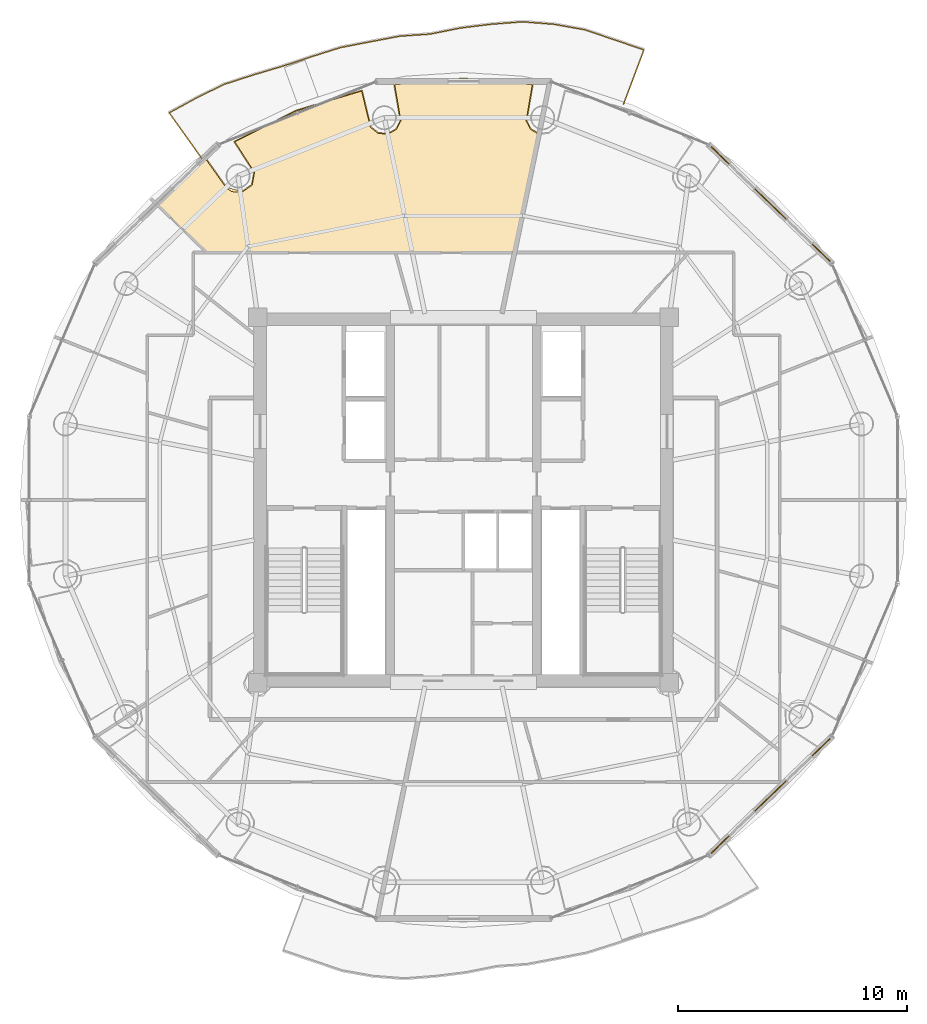
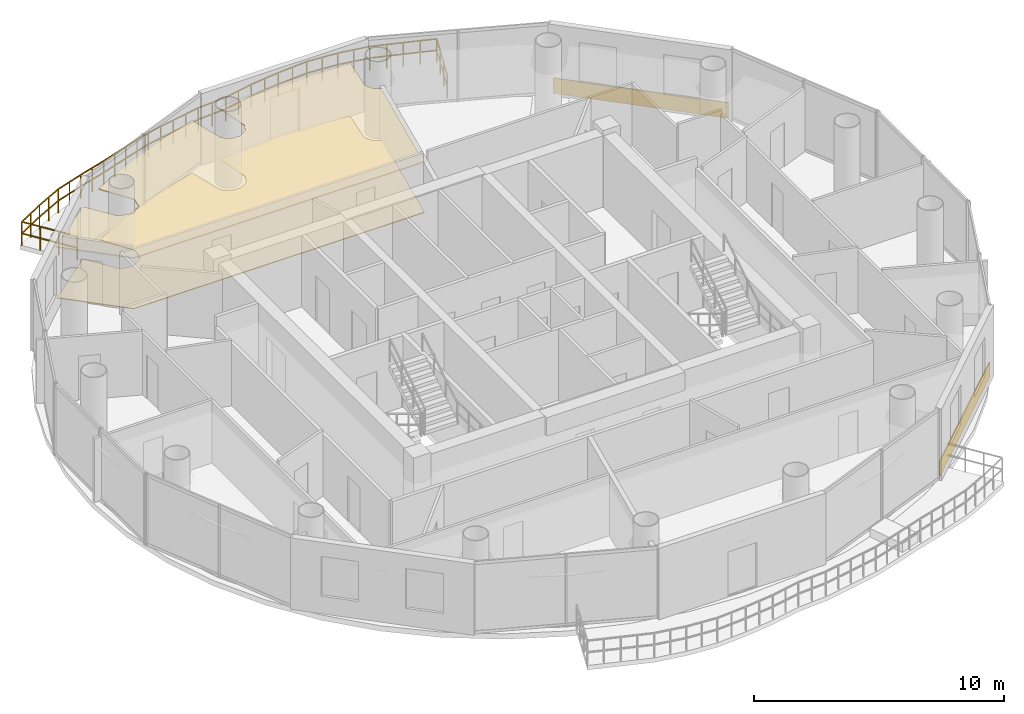
# One storey, part 22 of 22: 4 coverings, 1 railing.
"""IFC4 building model written with IfcOpenShell, lengths in metres."""

from ifc_helpers import new_model, si_unit, direction, frame, origin, origin_2d, place, context, subcontext, project, spatial, polyline, rectangle, outline, extrude, source, transform, mapped, material, layer, layer_set, type_object, element, save


model = new_model("IFC4")

# Units and contexts
model_context = context("Model", 3, precision=1e-05, world=origin(), true_north=direction((-0.2419218956, 0.970295726276)))
body_context = subcontext(model_context, "Body", "Model", "MODEL_VIEW")
ifc_project = project(units=[si_unit("LENGTHUNIT", "METRE"), si_unit("AREAUNIT", "SQUARE_METRE"), si_unit("VOLUMEUNIT", "CUBIC_METRE"), si_unit("PLANEANGLEUNIT", "RADIAN"), si_unit("MASSUNIT", "GRAM", prefix="KILO")], contexts=[model_context])

# Site, building, storey
site_placement = place(None, origin())
site = spatial("IfcSite", under=ifc_project, at=site_placement, CompositionType="ELEMENT")
building_placement = place(site_placement, origin())
building = spatial("IfcBuilding", under=site, at=building_placement, Name="Cobrevalo Terracotta Tower", CompositionType="ELEMENT")
storey_placement = place(building_placement, frame((0.0, 0.0, 289.449951171875)))
storey = spatial("IfcBuildingStorey", under=building, at=storey_placement, Name="L76", CompositionType="ELEMENT", Elevation=289.449951171875)

# Railing
ifc_material_1 = material(Name="Laminated structural glass and stainless steel", Category="steel")
railing_type = type_object("IfcRailingType", Name="Balcony lobe structural glass & terracotta-cap balustrade 1180 mm", PredefinedType="BALUSTRADE", material=ifc_material_1)
railing_placement = place(storey_placement, frame((45.00390625, 44.11962890625, 0.0)))
element("IfcRailing", 1, at=railing_placement, inside=storey, type_object=railing_type, Name="L76 spiralling balcony lobe balustrade 1", PredefinedType="BALUSTRADE", context=body_context, shape_type="SweptSolid", body=[
    extrude(rectangle(XDim=0.048095703125, YDim=0.048095703125, at=origin_2d()), frame((0.0, 0.0, 1.15576171875), z_axis=(0.351810122888, 0.936071384796, 0.0), x_axis=(-0.936071384796, 0.351810122888, 0.0)), (0.0, 0.0, 1.0), 2.5322265625),
    extrude(rectangle(XDim=0.048095703125, YDim=0.048095703125, at=origin_2d()), frame((0.0, 0.0, 0.58984375), z_axis=(0.351810122888, 0.936071384796, 0.0), x_axis=(-0.936071384796, 0.351810122888, 0.0)), (0.0, 0.0, 1.0), 2.5322265625),
    extrude(rectangle(XDim=0.048095703125, YDim=0.048095703125, at=origin_2d()), frame((0.890869140625, 2.370361328125, 1.15576171875), z_axis=(-0.946371179412, 0.323081399618, 0.0), x_axis=(-0.323081399618, -0.946371179412, 0.0)), (0.0, 0.0, 1.0), 1.3662109375),
    extrude(rectangle(XDim=0.048095703125, YDim=0.048095703125, at=origin_2d()), frame((0.890869140625, 2.370361328125, 0.58984375), z_axis=(-0.946371179412, 0.323081399618, 0.0), x_axis=(-0.323081399618, -0.946371179412, 0.0)), (0.0, 0.0, 1.0), 1.3662109375),
    extrude(rectangle(XDim=0.048095703125, YDim=0.048095703125, at=origin_2d()), frame((-0.402099609375, 2.811767578125, 1.15576171875), z_axis=(-0.947175150586, 0.320716750594, 0.0), x_axis=(-0.320716750594, -0.947175150586, 0.0)), (0.0, 0.0, 1.0), 1.369384765625),
    extrude(rectangle(XDim=0.048095703125, YDim=0.048095703125, at=origin_2d()), frame((-0.402099609375, 2.811767578125, 0.58984375), z_axis=(-0.947175150586, 0.320716750594, 0.0), x_axis=(-0.320716750594, -0.947175150586, 0.0)), (0.0, 0.0, 1.0), 1.369384765625),
    extrude(rectangle(XDim=0.048095703125, YDim=0.048095703125, at=origin_2d()), frame((-1.69921875, 3.2509765625, 1.15576171875), z_axis=(-0.984495670632, 0.175408878071, 0.0), x_axis=(-0.175408878071, -0.984495670632, 0.0)), (0.0, 0.0, 1.0), 1.372314453125),
    extrude(rectangle(XDim=0.048095703125, YDim=0.048095703125, at=origin_2d()), frame((-1.69921875, 3.2509765625, 0.58984375), z_axis=(-0.984495670632, 0.175408878071, 0.0), x_axis=(-0.175408878071, -0.984495670632, 0.0)), (0.0, 0.0, 1.0), 1.372314453125),
    extrude(rectangle(XDim=0.048095703125, YDim=0.048095703125, at=origin_2d()), frame((-3.05029296875, 3.49169921875, 1.15576171875), z_axis=(-0.996988043994, 0.077555400418, 0.0), x_axis=(-0.077555400418, -0.996988043994, 0.0)), (0.0, 0.0, 1.0), 1.369384765625),
    extrude(rectangle(XDim=0.048095703125, YDim=0.048095703125, at=origin_2d()), frame((-3.05029296875, 3.49169921875, 0.58984375), z_axis=(-0.996988043994, 0.077555400418, 0.0), x_axis=(-0.077555400418, -0.996988043994, 0.0)), (0.0, 0.0, 1.0), 1.369384765625),
    extrude(rectangle(XDim=0.048095703125, YDim=0.048095703125, at=origin_2d()), frame((-4.41552734375, 3.597900390625, 1.15576171875), z_axis=(-0.997129112114, -0.075720101525, 0.0), x_axis=(0.075720101525, -0.997129112114, 0.0)), (0.0, 0.0, 1.0), 1.376708984375),
    extrude(rectangle(XDim=0.048095703125, YDim=0.048095703125, at=origin_2d()), frame((-4.41552734375, 3.597900390625, 0.58984375), z_axis=(-0.997129112114, -0.075720101525, 0.0), x_axis=(0.075720101525, -0.997129112114, 0.0)), (0.0, 0.0, 1.0), 1.376708984375),
    extrude(rectangle(XDim=0.048095703125, YDim=0.048095703125, at=origin_2d()), frame((-5.788330078125, 3.49365234375, 1.15576171875), z_axis=(-0.992519046173, -0.122089897141, 0.0), x_axis=(0.122089897141, -0.992519046173, 0.0)), (0.0, 0.0, 1.0), 1.35986328125),
    extrude(rectangle(XDim=0.048095703125, YDim=0.048095703125, at=origin_2d()), frame((-5.788330078125, 3.49365234375, 0.58984375), z_axis=(-0.992519046173, -0.122089897141, 0.0), x_axis=(0.122089897141, -0.992519046173, 0.0)), (0.0, 0.0, 1.0), 1.35986328125),
    extrude(rectangle(XDim=0.048095703125, YDim=0.048095703125, at=origin_2d()), frame((-7.137939453125, 3.32763671875, 1.15576171875), z_axis=(-0.980441408918, -0.196811187892, 0.0), x_axis=(0.196811187892, -0.980441408918, 0.0)), (0.0, 0.0, 1.0), 1.350830078125),
    extrude(rectangle(XDim=0.048095703125, YDim=0.048095703125, at=origin_2d()), frame((-7.137939453125, 3.32763671875, 0.58984375), z_axis=(-0.980441408918, -0.196811187892, 0.0), x_axis=(0.196811187892, -0.980441408918, 0.0)), (0.0, 0.0, 1.0), 1.350830078125),
    extrude(rectangle(XDim=0.048095703125, YDim=0.048095703125, at=origin_2d()), frame((-8.46240234375, 3.061767578125, 1.15576171875), z_axis=(-0.997658098605, -0.068398233078, 0.0), x_axis=(0.068398233078, -0.997658098605, 0.0)), (0.0, 0.0, 1.0), 1.327880859375),
    extrude(rectangle(XDim=0.048095703125, YDim=0.048095703125, at=origin_2d()), frame((-8.46240234375, 3.061767578125, 0.58984375), z_axis=(-0.997658098605, -0.068398233078, 0.0), x_axis=(0.068398233078, -0.997658098605, 0.0)), (0.0, 0.0, 1.0), 1.327880859375),
    extrude(rectangle(XDim=0.048095703125, YDim=0.048095703125, at=origin_2d()), frame((-9.787109375, 2.970947265625, 1.15576171875), z_axis=(-0.982612913196, -0.185665998018, 0.0), x_axis=(0.185665998018, -0.982612913196, 0.0)), (0.0, 0.0, 1.0), 1.32666015625),
    extrude(rectangle(XDim=0.048095703125, YDim=0.048095703125, at=origin_2d()), frame((-9.787109375, 2.970947265625, 0.58984375), z_axis=(-0.982612913196, -0.185665998018, 0.0), x_axis=(0.185665998018, -0.982612913196, 0.0)), (0.0, 0.0, 1.0), 1.32666015625),
    extrude(rectangle(XDim=0.048095703125, YDim=0.048095703125, at=origin_2d()), frame((-11.0908203125, 2.724609375, 1.15576171875), z_axis=(-0.981668969235, -0.190593900324, 0.0), x_axis=(0.190593900324, -0.981668969235, 0.0)), (0.0, 0.0, 1.0), 1.3271484375),
    extrude(rectangle(XDim=0.048095703125, YDim=0.048095703125, at=origin_2d()), frame((-11.0908203125, 2.724609375, 0.58984375), z_axis=(-0.981668969235, -0.190593900324, 0.0), x_axis=(0.190593900324, -0.981668969235, 0.0)), (0.0, 0.0, 1.0), 1.3271484375),
    extrude(rectangle(XDim=0.048095703125, YDim=0.048095703125, at=origin_2d()), frame((-12.3935546875, 2.4716796875, 1.15576171875), z_axis=(-0.95331480743, -0.301978273945, 0.0), x_axis=(0.301978273945, -0.95331480743, 0.0)), (0.0, 0.0, 1.0), 1.32421875),
    extrude(rectangle(XDim=0.048095703125, YDim=0.048095703125, at=origin_2d()), frame((-12.3935546875, 2.4716796875, 0.58984375), z_axis=(-0.95331480743, -0.301978273945, 0.0), x_axis=(0.301978273945, -0.95331480743, 0.0)), (0.0, 0.0, 1.0), 1.32421875),
    extrude(rectangle(XDim=0.048095703125, YDim=0.048095703125, at=origin_2d()), frame((-13.656005859375, 2.07177734375, 1.15576171875), z_axis=(-0.949837939781, -0.312742526932, 0.0), x_axis=(0.312742526932, -0.949837939781, 0.0)), (0.0, 0.0, 1.0), 1.32470703125),
    extrude(rectangle(XDim=0.048095703125, YDim=0.048095703125, at=origin_2d()), frame((-13.656005859375, 2.07177734375, 0.58984375), z_axis=(-0.949837939781, -0.312742526932, 0.0), x_axis=(0.312742526932, -0.949837939781, 0.0)), (0.0, 0.0, 1.0), 1.32470703125),
    extrude(rectangle(XDim=0.048095703125, YDim=0.048095703125, at=origin_2d()), frame((-14.914306640625, 1.657470703125, 1.15576171875), z_axis=(-0.958613318738, -0.284711266264, 0.0), x_axis=(0.284711266264, -0.958613318738, 0.0)), (0.0, 0.0, 1.0), 1.334228515625),
    extrude(rectangle(XDim=0.048095703125, YDim=0.048095703125, at=origin_2d()), frame((-14.914306640625, 1.657470703125, 0.58984375), z_axis=(-0.958613318738, -0.284711266264, 0.0), x_axis=(0.284711266264, -0.958613318738, 0.0)), (0.0, 0.0, 1.0), 1.334228515625),
    extrude(rectangle(XDim=0.048095703125, YDim=0.048095703125, at=origin_2d()), frame((-16.193359375, 1.277587890625, 1.15576171875), z_axis=(-0.9514771417, -0.307719431989, 0.0), x_axis=(0.307719431989, -0.9514771417, 0.0)), (0.0, 0.0, 1.0), 1.353515625),
    extrude(rectangle(XDim=0.048095703125, YDim=0.048095703125, at=origin_2d()), frame((-16.193359375, 1.277587890625, 0.58984375), z_axis=(-0.9514771417, -0.307719431989, 0.0), x_axis=(0.307719431989, -0.9514771417, 0.0)), (0.0, 0.0, 1.0), 1.353515625),
    extrude(rectangle(XDim=0.048095703125, YDim=0.048095703125, at=origin_2d()), frame((-17.481201171875, 0.861083984375, 1.15576171875), z_axis=(-0.897347609921, -0.441324446376, 0.0), x_axis=(0.441324446376, -0.897347609921, 0.0)), (0.0, 0.0, 1.0), 1.345458984375),
    extrude(rectangle(XDim=0.048095703125, YDim=0.048095703125, at=origin_2d()), frame((-17.481201171875, 0.861083984375, 0.58984375), z_axis=(-0.897347609921, -0.441324446376, 0.0), x_axis=(0.441324446376, -0.897347609921, 0.0)), (0.0, 0.0, 1.0), 1.345458984375),
    extrude(rectangle(XDim=0.048095703125, YDim=0.048095703125, at=origin_2d()), frame((-18.6884765625, 0.267333984375, 1.15576171875), z_axis=(-0.877819834499, -0.478990958328, 0.0), x_axis=(0.478990958328, -0.877819834499, 0.0)), (0.0, 0.0, 1.0), 1.355224609375),
    extrude(rectangle(XDim=0.048095703125, YDim=0.048095703125, at=origin_2d()), frame((-18.6884765625, 0.267333984375, 0.58984375), z_axis=(-0.877819834499, -0.478990958328, 0.0), x_axis=(0.478990958328, -0.877819834499, 0.0)), (0.0, 0.0, 1.0), 1.355224609375),
    extrude(rectangle(XDim=0.048095703125, YDim=0.048095703125, at=origin_2d()), frame((-19.878173828125, -0.3818359375, 1.15576171875), z_axis=(0.580109412778, -0.814538562136, 0.0), x_axis=(0.814538562136, 0.580109412778, 0.0)), (0.0, 0.0, 1.0), 2.435791015625),
    extrude(rectangle(XDim=0.048095703125, YDim=0.048095703125, at=origin_2d()), frame((-19.878173828125, -0.3818359375, 0.58984375), z_axis=(0.580109412778, -0.814538562136, 0.0), x_axis=(0.814538562136, 0.580109412778, 0.0)), (0.0, 0.0, 1.0), 2.435791015625),
    extrude(rectangle(XDim=0.0419921875, YDim=0.0419921875, at=origin_2d()), origin(), (0.0, 0.0, 1.0), 1.1318359375),
    extrude(rectangle(XDim=0.0419921875, YDim=0.0419921875, at=origin_2d()), frame((0.296875, 0.7900390625, 0.0)), (0.0, 0.0, 1.0), 1.1318359375),
    extrude(rectangle(XDim=0.0419921875, YDim=0.0419921875, at=origin_2d()), frame((0.593994140625, 1.580322265625, 0.0)), (0.0, 0.0, 1.0), 1.1318359375),
    extrude(rectangle(XDim=0.0419921875, YDim=0.0419921875, at=origin_2d()), frame((0.890869140625, 2.370361328125, 0.0)), (0.0, 0.0, 1.0), 1.1318359375),
    extrude(rectangle(XDim=0.0419921875, YDim=0.0419921875, at=origin_2d()), frame((0.244384765625, 2.591064453125, 0.0)), (0.0, 0.0, 1.0), 1.1318359375),
    extrude(rectangle(XDim=0.0419921875, YDim=0.0419921875, at=origin_2d()), frame((-0.402099609375, 2.811767578125, 0.0)), (0.0, 0.0, 1.0), 1.1318359375),
    extrude(rectangle(XDim=0.0419921875, YDim=0.0419921875, at=origin_2d()), frame((-1.05078125, 3.03125, 0.0)), (0.0, 0.0, 1.0), 1.1318359375),
    extrude(rectangle(XDim=0.0419921875, YDim=0.0419921875, at=origin_2d()), frame((-1.69921875, 3.2509765625, 0.0)), (0.0, 0.0, 1.0), 1.1318359375),
    extrude(rectangle(XDim=0.0419921875, YDim=0.0419921875, at=origin_2d()), frame((-2.374755859375, 3.371337890625, 0.0)), (0.0, 0.0, 1.0), 1.1318359375),
    extrude(rectangle(XDim=0.0419921875, YDim=0.0419921875, at=origin_2d()), frame((-3.05029296875, 3.49169921875, 0.0)), (0.0, 0.0, 1.0), 1.1318359375),
    extrude(rectangle(XDim=0.0419921875, YDim=0.0419921875, at=origin_2d()), frame((-3.73291015625, 3.544921875, 0.0)), (0.0, 0.0, 1.0), 1.1318359375),
    extrude(rectangle(XDim=0.0419921875, YDim=0.0419921875, at=origin_2d()), frame((-4.41552734375, 3.597900390625, 0.0)), (0.0, 0.0, 1.0), 1.1318359375),
    extrude(rectangle(XDim=0.0419921875, YDim=0.0419921875, at=origin_2d()), frame((-5.10205078125, 3.5458984375, 0.0)), (0.0, 0.0, 1.0), 1.1318359375),
    extrude(rectangle(XDim=0.0419921875, YDim=0.0419921875, at=origin_2d()), frame((-5.788330078125, 3.49365234375, 0.0)), (0.0, 0.0, 1.0), 1.1318359375),
    extrude(rectangle(XDim=0.0419921875, YDim=0.0419921875, at=origin_2d()), frame((-6.463134765625, 3.41064453125, 0.0)), (0.0, 0.0, 1.0), 1.1318359375),
    extrude(rectangle(XDim=0.0419921875, YDim=0.0419921875, at=origin_2d()), frame((-7.137939453125, 3.32763671875, 0.0)), (0.0, 0.0, 1.0), 1.1318359375),
    extrude(rectangle(XDim=0.0419921875, YDim=0.0419921875, at=origin_2d()), frame((-7.80029296875, 3.19482421875, 0.0)), (0.0, 0.0, 1.0), 1.1318359375),
    extrude(rectangle(XDim=0.0419921875, YDim=0.0419921875, at=origin_2d()), frame((-8.46240234375, 3.061767578125, 0.0)), (0.0, 0.0, 1.0), 1.1318359375),
    extrude(rectangle(XDim=0.0419921875, YDim=0.0419921875, at=origin_2d()), frame((-9.124755859375, 3.016357421875, 0.0)), (0.0, 0.0, 1.0), 1.1318359375),
    extrude(rectangle(XDim=0.0419921875, YDim=0.0419921875, at=origin_2d()), frame((-9.787109375, 2.970947265625, 0.0)), (0.0, 0.0, 1.0), 1.1318359375),
    extrude(rectangle(XDim=0.0419921875, YDim=0.0419921875, at=origin_2d()), frame((-10.43896484375, 2.84765625, 0.0)), (0.0, 0.0, 1.0), 1.1318359375),
    extrude(rectangle(XDim=0.0419921875, YDim=0.0419921875, at=origin_2d()), frame((-11.0908203125, 2.724609375, 0.0)), (0.0, 0.0, 1.0), 1.1318359375),
    extrude(rectangle(XDim=0.0419921875, YDim=0.0419921875, at=origin_2d()), frame((-11.7421875, 2.59814453125, 0.0)), (0.0, 0.0, 1.0), 1.1318359375),
    extrude(rectangle(XDim=0.0419921875, YDim=0.0419921875, at=origin_2d()), frame((-12.3935546875, 2.4716796875, 0.0)), (0.0, 0.0, 1.0), 1.1318359375),
    extrude(rectangle(XDim=0.0419921875, YDim=0.0419921875, at=origin_2d()), frame((-13.02490234375, 2.271728515625, 0.0)), (0.0, 0.0, 1.0), 1.1318359375),
    extrude(rectangle(XDim=0.0419921875, YDim=0.0419921875, at=origin_2d()), frame((-13.656005859375, 2.07177734375, 0.0)), (0.0, 0.0, 1.0), 1.1318359375),
    extrude(rectangle(XDim=0.0419921875, YDim=0.0419921875, at=origin_2d()), frame((-14.28515625, 1.86474609375, 0.0)), (0.0, 0.0, 1.0), 1.1318359375),
    extrude(rectangle(XDim=0.0419921875, YDim=0.0419921875, at=origin_2d()), frame((-14.914306640625, 1.657470703125, 0.0)), (0.0, 0.0, 1.0), 1.1318359375),
    extrude(rectangle(XDim=0.0419921875, YDim=0.0419921875, at=origin_2d()), frame((-15.5537109375, 1.467529296875, 0.0)), (0.0, 0.0, 1.0), 1.1318359375),
    extrude(rectangle(XDim=0.0419921875, YDim=0.0419921875, at=origin_2d()), frame((-16.193359375, 1.277587890625, 0.0)), (0.0, 0.0, 1.0), 1.1318359375),
    extrude(rectangle(XDim=0.0419921875, YDim=0.0419921875, at=origin_2d()), frame((-16.83740234375, 1.0693359375, 0.0)), (0.0, 0.0, 1.0), 1.1318359375),
    extrude(rectangle(XDim=0.0419921875, YDim=0.0419921875, at=origin_2d()), frame((-17.481201171875, 0.861083984375, 0.0)), (0.0, 0.0, 1.0), 1.1318359375),
    extrude(rectangle(XDim=0.0419921875, YDim=0.0419921875, at=origin_2d()), frame((-18.0849609375, 0.564208984375, 0.0)), (0.0, 0.0, 1.0), 1.1318359375),
    extrude(rectangle(XDim=0.0419921875, YDim=0.0419921875, at=origin_2d()), frame((-18.6884765625, 0.267333984375, 0.0)), (0.0, 0.0, 1.0), 1.1318359375),
    extrude(rectangle(XDim=0.0419921875, YDim=0.0419921875, at=origin_2d()), frame((-19.283203125, -0.05712890625, 0.0)), (0.0, 0.0, 1.0), 1.1318359375),
    extrude(rectangle(XDim=0.0419921875, YDim=0.0419921875, at=origin_2d()), frame((-19.878173828125, -0.3818359375, 0.0)), (0.0, 0.0, 1.0), 1.1318359375),
    extrude(rectangle(XDim=0.0419921875, YDim=0.0419921875, at=origin_2d()), frame((-19.4072265625, -1.043212890625, 0.0)), (0.0, 0.0, 1.0), 1.1318359375),
    extrude(rectangle(XDim=0.0419921875, YDim=0.0419921875, at=origin_2d()), frame((-18.93603515625, -1.70458984375, 0.0)), (0.0, 0.0, 1.0), 1.1318359375),
    extrude(rectangle(XDim=0.0419921875, YDim=0.0419921875, at=origin_2d()), frame((-18.465087890625, -2.365966796875, 0.0)), (0.0, 0.0, 1.0), 1.1318359375),
])

# Coverings
ifc_material_2 = material(Name="Engineered Brazilian hardwood flooring", Category="wood")
ifc_layer_1 = layer(ifc_material_2, 0.028076171875)
ifc_layer_set_1 = layer_set([ifc_layer_1], Name="Engineered Brazilian hardwood flooring")
covering_type_1 = type_object("IfcCoveringType", Name="Engineered Hardwood Suite Flooring 28", PredefinedType="FLOORING", material=ifc_layer_set_1)
covering_1_placement = place(storey_placement, origin())
element("IfcCovering", 2, at=covering_1_placement, inside=storey, type_object=covering_type_1, Name="Flat L76A Penthouse Living and Dining Room floor finish", PredefinedType="FLOORING", context=body_context, shape_type="SweptSolid", body=[
    extrude(outline(polyline([(26.756103515625, 41.668212890625), (27.625244140625, 40.443603515625), (27.8681640625, 40.28759765625), (28.296630859375, 40.25341796875), (28.761474609375, 40.576904296875), (28.861572265625, 41.134521484375), (28.00146484375, 42.4697265625), (30.682861328125, 43.817626953125), (33.54052734375, 44.68603515625), (33.925048828125, 43.1064453125), (34.25927734375, 42.83642578125), (34.687255859375, 42.797607421875), (35.064453125, 43.003173828125), (35.26416015625, 43.3837890625), (34.994140625, 44.964599609375), (38.0, 45.219970703125), (41.005859375, 44.964599609375), (40.73583984375, 43.3837890625), (40.935546875, 43.003173828125), (41.28271484375, 42.80712890625), (40.217529296875, 37.64501953125), (26.77783203125, 37.64501953125), (24.49951171875, 39.841064453125), (26.756103515625, 41.668212890625)])), origin(), (0.0, 0.0, 1.0), 0.030029296875),
])
ifc_material_3 = material(Name="Acoustic perforated gypsum ceiling", Category="gypsum")
ifc_layer_2 = layer(ifc_material_3, 0.050048828125)
ifc_layer_set_2 = layer_set([ifc_layer_2], Name="Acoustic perforated gypsum ceiling")
covering_type_2 = type_object("IfcCoveringType", Name="Perforated Acoustic Gypsum Ceiling 50", PredefinedType="CEILING", material=ifc_layer_set_2)
covering_2_placement = place(storey_placement, frame((0.0, 0.0, 2.5)))
element("IfcCovering", 3, at=covering_2_placement, inside=storey, type_object=covering_type_2, Name="Flat L76A Penthouse Living and Dining Room acoustic ceiling", PredefinedType="CEILING", context=body_context, shape_type="SweptSolid", body=[
    extrude(outline(polyline([(26.768310546875, 41.7294921875), (27.656494140625, 40.47607421875), (28.286865234375, 40.297607421875), (28.7236328125, 40.601318359375), (28.8173828125, 41.124755859375), (27.937744140625, 42.482421875), (30.666259765625, 43.859619140625), (33.575439453125, 44.738525390625), (33.96240234375, 43.1318359375), (34.2763671875, 42.87841796875), (34.677978515625, 42.842041015625), (35.0322265625, 43.034912109375), (35.2197265625, 43.39208984375), (34.94091796875, 45.000244140625), (38.0, 45.26513671875), (41.05908203125, 45.000244140625), (40.7802734375, 43.39208984375), (40.9677734375, 43.034912109375), (41.3349609375, 42.837890625), (40.254150390625, 37.60009765625), (26.759765625, 37.60009765625), (24.432373046875, 39.84326171875), (26.768310546875, 41.7294921875)])), origin(), (0.0, 0.0, 1.0), 0.050048828125),
])
ifc_material_4 = material(Name="Glazed terracotta facade cladding tile", Category="masonry")
ifc_layer_3 = layer(ifc_material_4, 0.044921875)
ifc_layer_set_3 = layer_set([ifc_layer_3], Name="Glazed terracotta facade cladding tile")
covering_type_3 = type_object("IfcCoveringType", Name="Architectural terracotta rainscreen spandrel cladding 45 mm", PredefinedType="CLADDING", material=ifc_layer_set_3)
shared_shape = source(origin(), body_context, "Body", "SweptSolid", [
    extrude(rectangle(XDim=7.222412109375, YDim=0.044921875, at=origin_2d()), origin(), (0.0, 0.0, 1.0), 0.760009765625),
])
for number, where, z_axis, x_axis, name in (
    (4, (51.43359375, 39.748046875, 0.0400390625), (0.0, 0.0, 1.0), (-0.719996603293, 0.693977586992, 0.0), "L76 terracotta spandrel cladding S02"),
    (5, (51.43359375, 13.85205078125, 0.0400390625), (0.0, 0.0, 1.0), (0.719996603293, 0.693977586992, 0.0), "L76 terracotta spandrel cladding S14"),
):
    element("IfcCovering", number, at=place(storey_placement, frame(where, z_axis=z_axis, x_axis=x_axis)), inside=storey, type_object=covering_type_3, Name=name, PredefinedType="CLADDING", context=body_context, shape_type="MappedRepresentation", body=[
        mapped(shared_shape, transform((0.0, 0.0, 0.0), scale=1.0)),
    ])

save(model, "model.ifc")
